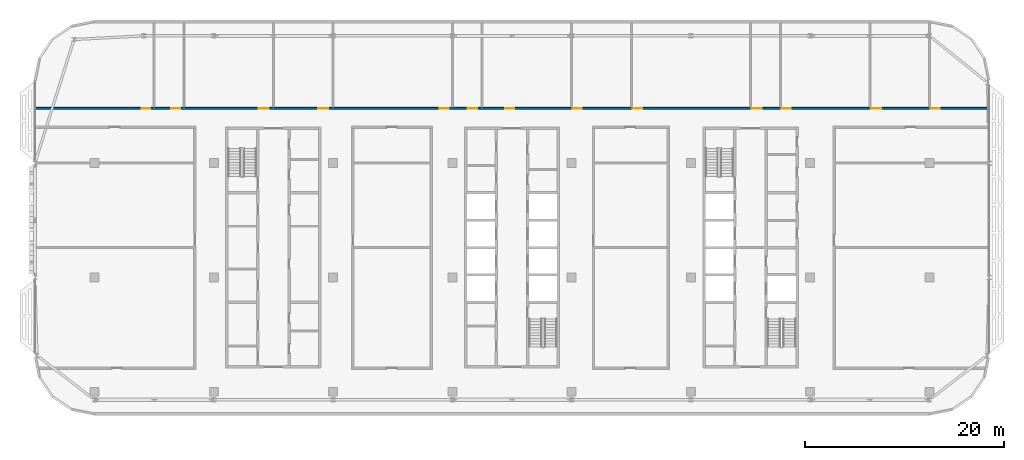
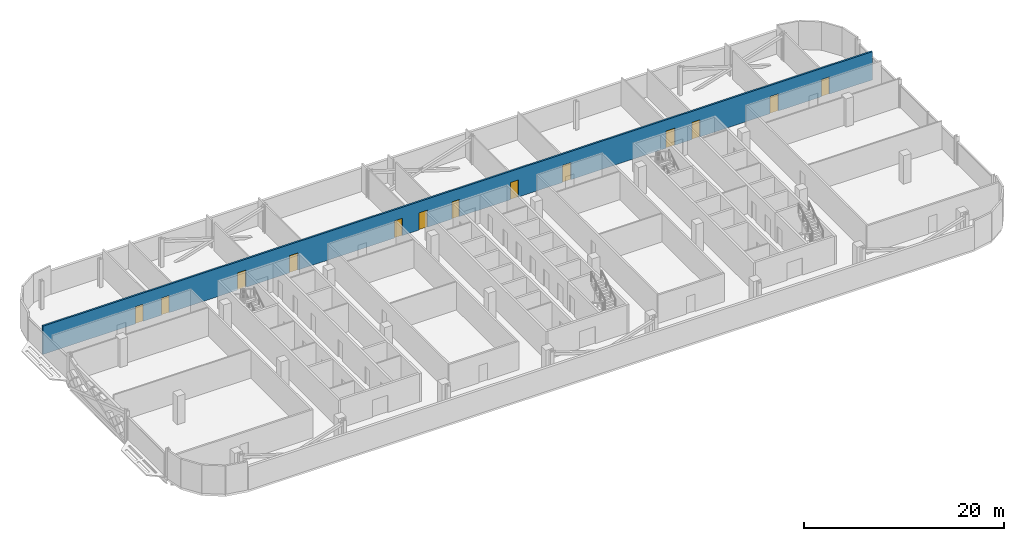
# One storey, part 16 of 28: 13 doors, 1 wall, 13 openings.
"""IFC4 building model written with IfcOpenShell, lengths in metres."""

from ifc_helpers import new_model, si_unit, direction, frame, frame_2d, origin, place, context, subcontext, project, spatial, rectangle, extrude, material, layer, layer_set, type_object, element, fill, save


model = new_model("IFC4")

# Units and contexts
model_context = context("Model", 3, precision=1e-05, world=origin(), true_north=direction((0.0, 1.0)))
body_context = subcontext(model_context, "Body", "Model", "MODEL_VIEW")
ifc_project = project(units=[si_unit("LENGTHUNIT", "METRE"), si_unit("AREAUNIT", "SQUARE_METRE"), si_unit("VOLUMEUNIT", "CUBIC_METRE"), si_unit("PLANEANGLEUNIT", "RADIAN"), si_unit("MASSUNIT", "GRAM", prefix="KILO")], contexts=[model_context])

# Site, building, storey
site_placement = place(None, origin())
site = spatial("IfcSite", under=ifc_project, at=site_placement, CompositionType="ELEMENT")
building_placement = place(site_placement, origin())
building = spatial("IfcBuilding", under=site, at=building_placement, Name="Mahtab Terrace Research Tower", CompositionType="ELEMENT")
storey_placement = place(building_placement, frame((0.0, 0.0, 267.10009765625)))
storey = spatial("IfcBuildingStorey", under=building, at=storey_placement, Name="L65", CompositionType="ELEMENT", Elevation=267.10009765625)

# Wall, openings, doors
ifc_material_1 = material(Name="Gypsum board corridor wall on steel studs", Category="steel")
ifc_layer = layer(ifc_material_1, 0.199951171875)
ifc_layer_set = layer_set([ifc_layer], Name="WALL CORRIDOR 200")
wall_type = type_object("IfcWallType", Name="WALL CORRIDOR 200", PredefinedType="PARTITIONING", material=ifc_layer_set)
wall_placement = place(storey_placement, frame((-47.97509765625, 17.0, 0.0), z_axis=(0.0, 0.0, 1.0), x_axis=(1.0, 0.0, 0.0)))
wall = element("IfcWall", 1, at=wall_placement, inside=storey, type_object=wall_type, Name="L65-W019", PredefinedType="PARTITIONING", context=body_context, shape_type="SweptSolid", body=[
    extrude(rectangle(XDim=95.9501953125, YDim=0.199951171875, at=frame_2d((47.97509765625, 0.0))), origin(), (0.0, 0.0, 1.0), 3.4599609375),
])
opening_1_placement = place(wall_placement, frame((10.699951171875, 0.0, 0.0)))
opening_1 = element("IfcOpeningElement", 2, at=opening_1_placement, cuts=wall, Name="Opening L65-113", PredefinedType="OPENING", context=body_context, shape_type="SweptSolid", body=[
    extrude(rectangle(XDim=0.89990234375, YDim=2.10009765625, at=frame_2d((0.449951171875, 1.050048828125))), frame((0.0, 0.10986328125, 0.0), z_axis=(0.0, -1.0, 0.0), x_axis=(1.0, 0.0, 0.0)), (0.0, 0.0, 1.0), 0.219970703125),
])
opening_2_placement = place(wall_placement, frame((13.699951171875, 0.0, 0.0)))
opening_2 = element("IfcOpeningElement", 3, at=opening_2_placement, cuts=wall, Name="Opening L65-114", PredefinedType="OPENING", context=body_context, shape_type="SweptSolid", body=[
    extrude(rectangle(XDim=0.89990234375, YDim=2.10009765625, at=frame_2d((0.449951171875, 1.050048828125))), frame((0.0, 0.10986328125, 0.0), z_axis=(0.0, -1.0, 0.0), x_axis=(1.0, 0.0, 0.0)), (0.0, 0.0, 1.0), 0.219970703125),
])
opening_3_placement = place(wall_placement, frame((22.5, 0.0, 0.0)))
opening_3 = element("IfcOpeningElement", 4, at=opening_3_placement, cuts=wall, Name="Opening L65-115", PredefinedType="OPENING", context=body_context, shape_type="SweptSolid", body=[
    extrude(rectangle(XDim=1.0, YDim=2.10009765625, at=frame_2d((0.5, 1.050048828125))), frame((0.0, 0.10986328125, 0.0), z_axis=(0.0, -1.0, 0.0), x_axis=(1.0, 0.0, 0.0)), (0.0, 0.0, 1.0), 0.219970703125),
])
opening_4_placement = place(wall_placement, frame((28.5, 0.0, 0.0)))
opening_4 = element("IfcOpeningElement", 5, at=opening_4_placement, cuts=wall, Name="Opening L65-116", PredefinedType="OPENING", context=body_context, shape_type="SweptSolid", body=[
    extrude(rectangle(XDim=1.0, YDim=2.10009765625, at=frame_2d((0.5, 1.050048828125))), frame((0.0, 0.10986328125, 0.0), z_axis=(0.0, -1.0, 0.0), x_axis=(1.0, 0.0, 0.0)), (0.0, 0.0, 1.0), 0.219970703125),
])
opening_5_placement = place(wall_placement, frame((40.699951171875, 0.0, 0.0)))
opening_5 = element("IfcOpeningElement", 6, at=opening_5_placement, cuts=wall, Name="Opening L65-117", PredefinedType="OPENING", context=body_context, shape_type="SweptSolid", body=[
    extrude(rectangle(XDim=0.89990234375, YDim=2.10009765625, at=frame_2d((0.449951171875, 1.050048828125))), frame((0.0, 0.10986328125, 0.0), z_axis=(0.0, -1.0, 0.0), x_axis=(1.0, 0.0, 0.0)), (0.0, 0.0, 1.0), 0.219970703125),
])
opening_6_placement = place(wall_placement, frame((43.5, 0.0, 0.0)))
opening_6 = element("IfcOpeningElement", 7, at=opening_6_placement, cuts=wall, Name="Opening L65-118", PredefinedType="OPENING", context=body_context, shape_type="SweptSolid", body=[
    extrude(rectangle(XDim=1.0, YDim=2.10009765625, at=frame_2d((0.5, 1.050048828125))), frame((0.0, 0.10986328125, 0.0), z_axis=(0.0, -1.0, 0.0), x_axis=(1.0, 0.0, 0.0)), (0.0, 0.0, 1.0), 0.219970703125),
])
opening_7_placement = place(wall_placement, frame((47.300048828125, 0.0, 0.0)))
opening_7 = element("IfcOpeningElement", 8, at=opening_7_placement, cuts=wall, Name="Opening L65-119", PredefinedType="OPENING", context=body_context, shape_type="SweptSolid", body=[
    extrude(rectangle(XDim=0.89990234375, YDim=2.10009765625, at=frame_2d((0.449951171875, 1.050048828125))), frame((0.0, 0.10986328125, 0.0), z_axis=(0.0, -1.0, 0.0), x_axis=(1.0, 0.0, 0.0)), (0.0, 0.0, 1.0), 0.219970703125),
])
opening_8_placement = place(wall_placement, frame((54.10009765625, 0.0, 0.0)))
opening_8 = element("IfcOpeningElement", 9, at=opening_8_placement, cuts=wall, Name="Opening L65-120", PredefinedType="OPENING", context=body_context, shape_type="SweptSolid", body=[
    extrude(rectangle(XDim=0.89990234375, YDim=2.10009765625, at=frame_2d((0.449951171875, 1.050048828125))), frame((0.0, 0.10986328125, 0.0), z_axis=(0.0, -1.0, 0.0), x_axis=(1.0, 0.0, 0.0)), (0.0, 0.0, 1.0), 0.219970703125),
])
opening_9_placement = place(wall_placement, frame((60.10009765625, 0.0, 0.0)))
opening_9 = element("IfcOpeningElement", 10, at=opening_9_placement, cuts=wall, Name="Opening L65-121", PredefinedType="OPENING", context=body_context, shape_type="SweptSolid", body=[
    extrude(rectangle(XDim=1.0, YDim=2.10009765625, at=frame_2d((0.5, 1.050048828125))), frame((0.0, 0.10986328125, 0.0), z_axis=(0.0, -1.0, 0.0), x_axis=(1.0, 0.0, 0.0)), (0.0, 0.0, 1.0), 0.219970703125),
])
opening_10_placement = place(wall_placement, frame((72.10009765625, 0.0, 0.0)))
opening_10 = element("IfcOpeningElement", 11, at=opening_10_placement, cuts=wall, Name="Opening L65-122", PredefinedType="OPENING", context=body_context, shape_type="SweptSolid", body=[
    extrude(rectangle(XDim=1.0, YDim=2.10009765625, at=frame_2d((0.5, 1.050048828125))), frame((0.0, 0.10986328125, 0.0), z_axis=(0.0, -1.0, 0.0), x_axis=(1.0, 0.0, 0.0)), (0.0, 0.0, 1.0), 0.219970703125),
])
opening_11_placement = place(wall_placement, frame((75.10009765625, 0.0, 0.0)))
opening_11 = element("IfcOpeningElement", 12, at=opening_11_placement, cuts=wall, Name="Opening L65-123", PredefinedType="OPENING", context=body_context, shape_type="SweptSolid", body=[
    extrude(rectangle(XDim=0.89990234375, YDim=2.10009765625, at=frame_2d((0.449951171875, 1.050048828125))), frame((0.0, 0.10986328125, 0.0), z_axis=(0.0, -1.0, 0.0), x_axis=(1.0, 0.0, 0.0)), (0.0, 0.0, 1.0), 0.219970703125),
])
opening_12_placement = place(wall_placement, frame((84.10009765625, 0.0, 0.0)))
opening_12 = element("IfcOpeningElement", 13, at=opening_12_placement, cuts=wall, Name="Opening L65-124", PredefinedType="OPENING", context=body_context, shape_type="SweptSolid", body=[
    extrude(rectangle(XDim=1.0, YDim=2.10009765625, at=frame_2d((0.5, 1.050048828125))), frame((0.0, 0.10986328125, 0.0), z_axis=(0.0, -1.0, 0.0), x_axis=(1.0, 0.0, 0.0)), (0.0, 0.0, 1.0), 0.219970703125),
])
opening_13_placement = place(wall_placement, frame((90.10009765625, 0.0, 0.0)))
opening_13 = element("IfcOpeningElement", 14, at=opening_13_placement, cuts=wall, Name="Opening L65-125", PredefinedType="OPENING", context=body_context, shape_type="SweptSolid", body=[
    extrude(rectangle(XDim=0.89990234375, YDim=2.10009765625, at=frame_2d((0.449951171875, 1.050048828125))), frame((0.0, 0.10986328125, 0.0), z_axis=(0.0, -1.0, 0.0), x_axis=(1.0, 0.0, 0.0)), (0.0, 0.0, 1.0), 0.219970703125),
])
ifc_material_2 = material(Name="Timber door leaf in steel frame", Category="steel")
door_type_1 = type_object("IfcDoorType", Name="DOOR 0900X2100 FD30S", OperationType="SINGLE_SWING_LEFT", PredefinedType="DOOR", material=ifc_material_2)
door_1_placement = place(opening_1_placement, origin())
door_1 = element("IfcDoor", 15, at=door_1_placement, inside=storey, type_object=door_type_1, Name="Door L65-113", OperationType="SINGLE_SWING_LEFT", OverallHeight=2.10009765625, OverallWidth=0.89990234375, PredefinedType="DOOR", context=body_context, shape_type="SweptSolid", body=[
    extrude(rectangle(XDim=0.89990234375, YDim=2.10009765625, at=frame_2d((0.449951171875, 1.050048828125))), frame((0.0, 0.02490234375, 0.0), z_axis=(0.0, -1.0, 0.0), x_axis=(1.0, 0.0, 0.0)), (0.0, 0.0, 1.0), 0.050048828125),
])
fill(opening_1, door_1)
door_2_placement = place(opening_2_placement, origin())
door_2 = element("IfcDoor", 16, at=door_2_placement, inside=storey, type_object=door_type_1, Name="Door L65-114", OperationType="SINGLE_SWING_LEFT", OverallHeight=2.10009765625, OverallWidth=0.89990234375, PredefinedType="DOOR", context=body_context, shape_type="SweptSolid", body=[
    extrude(rectangle(XDim=0.89990234375, YDim=2.10009765625, at=frame_2d((0.449951171875, 1.050048828125))), frame((0.0, 0.02490234375, 0.0), z_axis=(0.0, -1.0, 0.0), x_axis=(1.0, 0.0, 0.0)), (0.0, 0.0, 1.0), 0.050048828125),
])
fill(opening_2, door_2)
door_3_placement = place(opening_5_placement, origin())
door_3 = element("IfcDoor", 17, at=door_3_placement, inside=storey, type_object=door_type_1, Name="Door L65-117", OperationType="SINGLE_SWING_LEFT", OverallHeight=2.10009765625, OverallWidth=0.89990234375, PredefinedType="DOOR", context=body_context, shape_type="SweptSolid", body=[
    extrude(rectangle(XDim=0.89990234375, YDim=2.10009765625, at=frame_2d((0.449951171875, 1.050048828125))), frame((0.0, 0.02490234375, 0.0), z_axis=(0.0, -1.0, 0.0), x_axis=(1.0, 0.0, 0.0)), (0.0, 0.0, 1.0), 0.050048828125),
])
fill(opening_5, door_3)
door_4_placement = place(opening_7_placement, origin())
door_4 = element("IfcDoor", 18, at=door_4_placement, inside=storey, type_object=door_type_1, Name="Door L65-119", OperationType="SINGLE_SWING_LEFT", OverallHeight=2.10009765625, OverallWidth=0.89990234375, PredefinedType="DOOR", context=body_context, shape_type="SweptSolid", body=[
    extrude(rectangle(XDim=0.89990234375, YDim=2.10009765625, at=frame_2d((0.449951171875, 1.050048828125))), frame((0.0, 0.02490234375, 0.0), z_axis=(0.0, -1.0, 0.0), x_axis=(1.0, 0.0, 0.0)), (0.0, 0.0, 1.0), 0.050048828125),
])
fill(opening_7, door_4)
door_5_placement = place(opening_8_placement, origin())
door_5 = element("IfcDoor", 19, at=door_5_placement, inside=storey, type_object=door_type_1, Name="Door L65-120", OperationType="SINGLE_SWING_RIGHT", OverallHeight=2.10009765625, OverallWidth=0.89990234375, PredefinedType="DOOR", context=body_context, shape_type="SweptSolid", body=[
    extrude(rectangle(XDim=0.89990234375, YDim=2.10009765625, at=frame_2d((0.449951171875, 1.050048828125))), frame((0.0, 0.02490234375, 0.0), z_axis=(0.0, -1.0, 0.0), x_axis=(1.0, 0.0, 0.0)), (0.0, 0.0, 1.0), 0.050048828125),
])
fill(opening_8, door_5)
door_6_placement = place(opening_11_placement, origin())
door_6 = element("IfcDoor", 20, at=door_6_placement, inside=storey, type_object=door_type_1, Name="Door L65-123", OperationType="SINGLE_SWING_RIGHT", OverallHeight=2.10009765625, OverallWidth=0.89990234375, PredefinedType="DOOR", context=body_context, shape_type="SweptSolid", body=[
    extrude(rectangle(XDim=0.89990234375, YDim=2.10009765625, at=frame_2d((0.449951171875, 1.050048828125))), frame((0.0, 0.02490234375, 0.0), z_axis=(0.0, -1.0, 0.0), x_axis=(1.0, 0.0, 0.0)), (0.0, 0.0, 1.0), 0.050048828125),
])
fill(opening_11, door_6)
door_7_placement = place(opening_13_placement, origin())
door_7 = element("IfcDoor", 21, at=door_7_placement, inside=storey, type_object=door_type_1, Name="Door L65-125", OperationType="SINGLE_SWING_RIGHT", OverallHeight=2.10009765625, OverallWidth=0.89990234375, PredefinedType="DOOR", context=body_context, shape_type="SweptSolid", body=[
    extrude(rectangle(XDim=0.89990234375, YDim=2.10009765625, at=frame_2d((0.449951171875, 1.050048828125))), frame((0.0, 0.02490234375, 0.0), z_axis=(0.0, -1.0, 0.0), x_axis=(1.0, 0.0, 0.0)), (0.0, 0.0, 1.0), 0.050048828125),
])
fill(opening_13, door_7)
door_type_2 = type_object("IfcDoorType", Name="DOOR 1000X2100 FD30S", OperationType="SINGLE_SWING_LEFT", PredefinedType="DOOR", material=ifc_material_2)
door_8_placement = place(opening_3_placement, origin())
door_8 = element("IfcDoor", 22, at=door_8_placement, inside=storey, type_object=door_type_2, Name="Door L65-115", OperationType="SINGLE_SWING_LEFT", OverallHeight=2.10009765625, OverallWidth=1.0, PredefinedType="DOOR", context=body_context, shape_type="SweptSolid", body=[
    extrude(rectangle(XDim=1.0, YDim=2.10009765625, at=frame_2d((0.5, 1.050048828125))), frame((0.0, 0.02490234375, 0.0), z_axis=(0.0, -1.0, 0.0), x_axis=(1.0, 0.0, 0.0)), (0.0, 0.0, 1.0), 0.050048828125),
])
fill(opening_3, door_8)
door_9_placement = place(opening_4_placement, origin())
door_9 = element("IfcDoor", 23, at=door_9_placement, inside=storey, type_object=door_type_2, Name="Door L65-116", OperationType="SINGLE_SWING_LEFT", OverallHeight=2.10009765625, OverallWidth=1.0, PredefinedType="DOOR", context=body_context, shape_type="SweptSolid", body=[
    extrude(rectangle(XDim=1.0, YDim=2.10009765625, at=frame_2d((0.5, 1.050048828125))), frame((0.0, 0.02490234375, 0.0), z_axis=(0.0, -1.0, 0.0), x_axis=(1.0, 0.0, 0.0)), (0.0, 0.0, 1.0), 0.050048828125),
])
fill(opening_4, door_9)
door_10_placement = place(opening_6_placement, origin())
door_10 = element("IfcDoor", 24, at=door_10_placement, inside=storey, type_object=door_type_2, Name="Door L65-118", OperationType="SINGLE_SWING_LEFT", OverallHeight=2.10009765625, OverallWidth=1.0, PredefinedType="DOOR", context=body_context, shape_type="SweptSolid", body=[
    extrude(rectangle(XDim=1.0, YDim=2.10009765625, at=frame_2d((0.5, 1.050048828125))), frame((0.0, 0.02490234375, 0.0), z_axis=(0.0, -1.0, 0.0), x_axis=(1.0, 0.0, 0.0)), (0.0, 0.0, 1.0), 0.050048828125),
])
fill(opening_6, door_10)
door_11_placement = place(opening_9_placement, origin())
door_11 = element("IfcDoor", 25, at=door_11_placement, inside=storey, type_object=door_type_2, Name="Door L65-121", OperationType="SINGLE_SWING_RIGHT", OverallHeight=2.10009765625, OverallWidth=1.0, PredefinedType="DOOR", context=body_context, shape_type="SweptSolid", body=[
    extrude(rectangle(XDim=1.0, YDim=2.10009765625, at=frame_2d((0.5, 1.050048828125))), frame((0.0, 0.02490234375, 0.0), z_axis=(0.0, -1.0, 0.0), x_axis=(1.0, 0.0, 0.0)), (0.0, 0.0, 1.0), 0.050048828125),
])
fill(opening_9, door_11)
door_12_placement = place(opening_10_placement, origin())
door_12 = element("IfcDoor", 26, at=door_12_placement, inside=storey, type_object=door_type_2, Name="Door L65-122", OperationType="SINGLE_SWING_RIGHT", OverallHeight=2.10009765625, OverallWidth=1.0, PredefinedType="DOOR", context=body_context, shape_type="SweptSolid", body=[
    extrude(rectangle(XDim=1.0, YDim=2.10009765625, at=frame_2d((0.5, 1.050048828125))), frame((0.0, 0.02490234375, 0.0), z_axis=(0.0, -1.0, 0.0), x_axis=(1.0, 0.0, 0.0)), (0.0, 0.0, 1.0), 0.050048828125),
])
fill(opening_10, door_12)
door_13_placement = place(opening_12_placement, origin())
door_13 = element("IfcDoor", 27, at=door_13_placement, inside=storey, type_object=door_type_2, Name="Door L65-124", OperationType="SINGLE_SWING_RIGHT", OverallHeight=2.10009765625, OverallWidth=1.0, PredefinedType="DOOR", context=body_context, shape_type="SweptSolid", body=[
    extrude(rectangle(XDim=1.0, YDim=2.10009765625, at=frame_2d((0.5, 1.050048828125))), frame((0.0, 0.02490234375, 0.0), z_axis=(0.0, -1.0, 0.0), x_axis=(1.0, 0.0, 0.0)), (0.0, 0.0, 1.0), 0.050048828125),
])
fill(opening_12, door_13)

save(model, "model.ifc")
